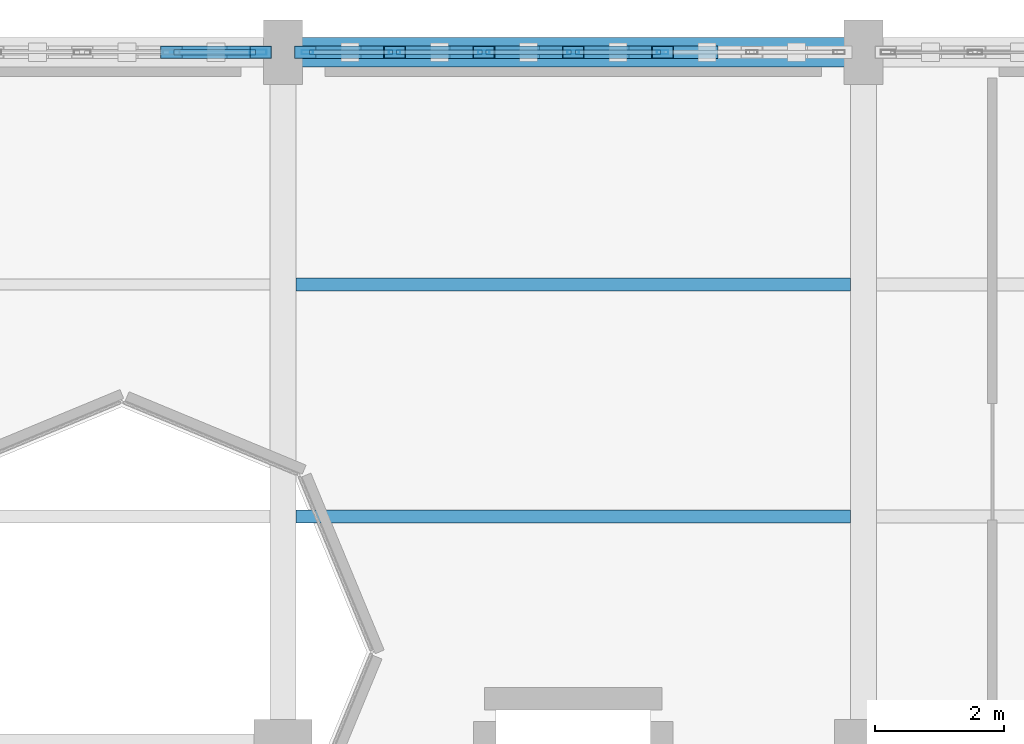
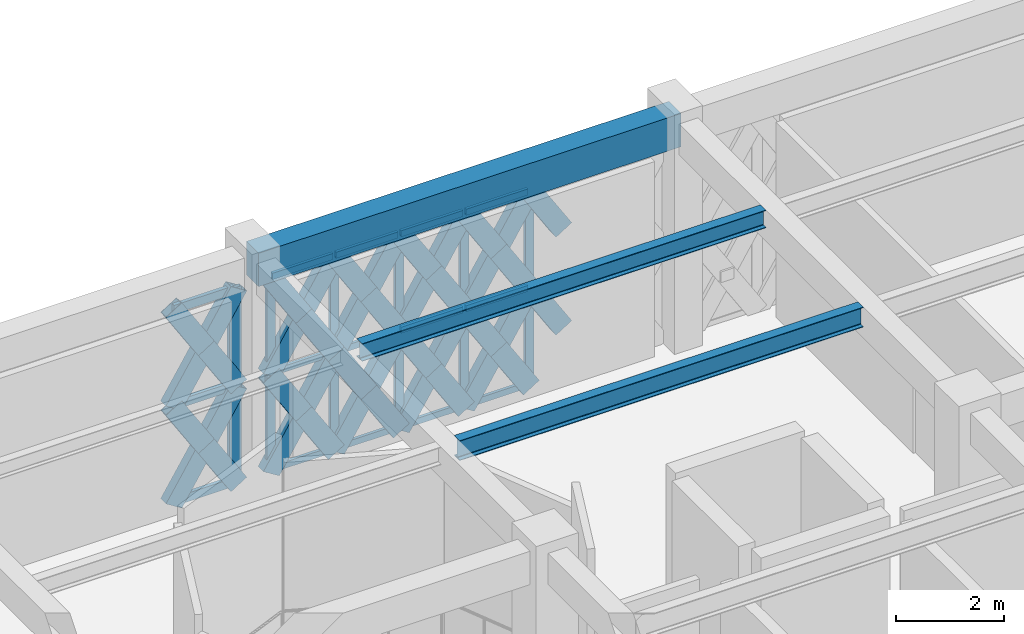
# One storey, part 87 of 155: 53 members, 3 beams, 2 elements without a shape of their own.
"""IFC4 building model written with IfcOpenShell, lengths in metres."""

from ifc_helpers import new_model, si_unit, direction, frame, origin, origin_2d, place, context, subcontext, project, spatial, rectangle, hollow_rectangle, i_section, extrude, material, material_profile, profile_set, type_object, element, aggregate, save


model = new_model("IFC4")

# Units and contexts
model_context = context("Model", 3, precision=1e-05, world=origin(), true_north=direction((0.0, 1.0)))
body_context = subcontext(model_context, "Body", "Model", "MODEL_VIEW")
ifc_project = project(units=[si_unit("LENGTHUNIT", "METRE"), si_unit("AREAUNIT", "SQUARE_METRE"), si_unit("VOLUMEUNIT", "CUBIC_METRE"), si_unit("PLANEANGLEUNIT", "RADIAN"), si_unit("MASSUNIT", "GRAM", prefix="KILO")], contexts=[model_context])

# Site, building, storey
site_placement = place(None, origin())
site = spatial("IfcSite", under=ifc_project, at=site_placement, CompositionType="ELEMENT")
building_placement = place(site_placement, origin())
building = spatial("IfcBuilding", under=site, at=building_placement, Name="Haizhuo Lancet Aquarium", CompositionType="ELEMENT")
storey_placement = place(building_placement, frame((0.0, 0.0, 10.800048828125)))
storey = spatial("IfcBuildingStorey", under=building, at=storey_placement, Name="L02", CompositionType="ELEMENT", Elevation=10.800048828125)

# Beam
ifc_material_1 = material(Name="Concrete C40/50", Category="concrete")
ifc_material_profile_1 = material_profile(ifc_material_1, rectangle(XDim=0.449951171875, YDim=0.75, at=origin_2d()), Name="RC-BM 450x750")
ifc_profile_set_1 = profile_set([ifc_material_profile_1], Name="Concrete C40/50")
beam_type_1 = type_object("IfcBeamType", Name="BM-RC-450x750", PredefinedType="BEAM", material=ifc_profile_set_1)
beam_1_placement = place(storey_placement, frame((-9.0, 55.800048828125, 4.784912109375), z_axis=(1.0, 0.0, 0.0), x_axis=(0.0, 1.0, 0.0)))
element("IfcBeam", 1, at=beam_1_placement, inside=storey, type_object=beam_type_1, Name="L02 V5 primary girder BM-L02-V5-015", PredefinedType="BEAM", context=body_context, shape_type="SweptSolid", body=[
    extrude(rectangle(XDim=0.449951171875, YDim=0.75, at=origin_2d()), origin(), (0.0, 0.0, 1.0), 9.0),
])

# Curtain wall, members
ifc_material_2 = material(Name="Aluminium 6063-T6", Category="aluminium")
curtain_wall_type = type_object("IfcCurtainWallType", Name="CWD-8310x4410", PredefinedType="NOTDEFINED", material=ifc_material_2)
curtain_wall_1_placement = place(storey_placement, origin())
curtain_wall_1 = element("IfcCurtainWall", 2, at=curtain_wall_1_placement, inside=storey, type_object=curtain_wall_type, Name="L02 curtain wall CW-V5-L02-148", PredefinedType="NOTDEFINED")
ifc_material_profile_2 = material_profile(ifc_material_2, hollow_rectangle(XDim=0.06494140625, YDim=0.179931640625, WallThickness=0.00390625, at=origin_2d()), Name="ALU-M 65x180x4")
ifc_profile_set_2 = profile_set([ifc_material_profile_2], Name="Aluminium 6063-T6")
member_type_1 = type_object("IfcMemberType", Name="CW-MUL-1", PredefinedType="MULLION", material=ifc_profile_set_2)
member_1_placement = place(storey_placement, frame((-8.6220703125, 55.800048828125, 0.0), z_axis=(0.0, 0.0, 1.0), x_axis=(0.0, 1.0, 0.0)))
member_1 = element("IfcMember", 3, at=member_1_placement, type_object=member_type_1, Name="CWD-83x44 mullion 1", PredefinedType="MULLION", context=body_context, shape_type="SweptSolid", body=[
    extrude(hollow_rectangle(XDim=0.06494140625, YDim=0.179931640625, WallThickness=0.00390625, at=origin_2d()), origin(), (0.0, 0.0, 1.0), 4.409912109375),
])
member_2_placement = place(storey_placement, frame((-7.27001953125, 55.800048828125, 0.0), z_axis=(0.0, 0.0, 1.0), x_axis=(0.0, 1.0, 0.0)))
member_2 = element("IfcMember", 4, at=member_2_placement, type_object=member_type_1, Name="CWD-83x44 mullion 2", PredefinedType="MULLION", context=body_context, shape_type="SweptSolid", body=[
    extrude(hollow_rectangle(XDim=0.06494140625, YDim=0.179931640625, WallThickness=0.00390625, at=origin_2d()), origin(), (0.0, 0.0, 1.0), 4.409912109375),
])
member_3_placement = place(storey_placement, frame((-5.885009765625, 55.800048828125, 0.0), z_axis=(0.0, 0.0, 1.0), x_axis=(0.0, 1.0, 0.0)))
member_3 = element("IfcMember", 5, at=member_3_placement, type_object=member_type_1, Name="CWD-83x44 mullion 3", PredefinedType="MULLION", context=body_context, shape_type="SweptSolid", body=[
    extrude(hollow_rectangle(XDim=0.06494140625, YDim=0.179931640625, WallThickness=0.00390625, at=origin_2d()), origin(), (0.0, 0.0, 1.0), 4.409912109375),
])
member_4_placement = place(storey_placement, frame((-4.5, 55.800048828125, 0.0), z_axis=(0.0, 0.0, 1.0), x_axis=(0.0, 1.0, 0.0)))
member_4 = element("IfcMember", 6, at=member_4_placement, type_object=member_type_1, Name="CWD-83x44 mullion 4", PredefinedType="MULLION", context=body_context, shape_type="SweptSolid", body=[
    extrude(hollow_rectangle(XDim=0.06494140625, YDim=0.179931640625, WallThickness=0.00390625, at=origin_2d()), origin(), (0.0, 0.0, 1.0), 4.409912109375),
])
member_5_placement = place(storey_placement, frame((-3.114990234375, 55.800048828125, 0.0), z_axis=(0.0, 0.0, 1.0), x_axis=(0.0, 1.0, 0.0)))
member_5 = element("IfcMember", 7, at=member_5_placement, type_object=member_type_1, Name="CWD-83x44 mullion 5", PredefinedType="MULLION", context=body_context, shape_type="SweptSolid", body=[
    extrude(hollow_rectangle(XDim=0.06494140625, YDim=0.179931640625, WallThickness=0.00390625, at=origin_2d()), origin(), (0.0, 0.0, 1.0), 4.409912109375),
])

# Curtain wall, member
curtain_wall_2_placement = place(storey_placement, origin())
curtain_wall_2 = element("IfcCurtainWall", 8, at=curtain_wall_2_placement, inside=storey, type_object=curtain_wall_type, Name="L02 curtain wall CW-V5-L02-147", PredefinedType="NOTDEFINED")
ifc_material_profile_3 = material_profile(ifc_material_2, hollow_rectangle(XDim=0.080078125, YDim=0.260009765625, WallThickness=0.0048828125, at=origin_2d()), Name="ALU-M 80x260x5")
ifc_profile_set_3 = profile_set([ifc_material_profile_3], Name="Aluminium 6063-T6")
member_type_2 = type_object("IfcMemberType", Name="CW-MUL-3", PredefinedType="MULLION", material=ifc_profile_set_3)
member_6_placement = place(storey_placement, frame((-9.385009765625, 55.800048828125, 0.0), z_axis=(0.0, 0.0, 1.0), x_axis=(0.0, 1.0, 0.0)))
member_6 = element("IfcMember", 9, at=member_6_placement, type_object=member_type_2, Name="CWD-83x44 mullion 7", PredefinedType="MULLION", context=body_context, shape_type="SweptSolid", body=[
    extrude(hollow_rectangle(XDim=0.080078125, YDim=0.260009765625, WallThickness=0.0048828125, at=origin_2d()), origin(), (0.0, 0.0, 1.0), 4.409912109375),
])

# Member
ifc_material_profile_4 = material_profile(ifc_material_2, hollow_rectangle(XDim=0.06494140625, YDim=0.139892578125, WallThickness=0.00390625, at=origin_2d()), Name="ALU-T 65x140x4")
ifc_profile_set_4 = profile_set([ifc_material_profile_4], Name="Aluminium 6063-T6")
member_type_3 = type_object("IfcMemberType", Name="CW-TRN-1", PredefinedType="NOTDEFINED", material=ifc_profile_set_4)
member_7_placement = place(storey_placement, frame((-8.590087890625, 55.800048828125, 0.032958984375), z_axis=(1.0, 0.0, 0.0), x_axis=(0.0, 1.0, 0.0)))
member_7 = element("IfcMember", 10, at=member_7_placement, type_object=member_type_3, Name="CWD-83x44 transom 1.1", ObjectType="TRANSOM", PredefinedType="USERDEFINED", context=body_context, shape_type="SweptSolid", body=[
    extrude(hollow_rectangle(XDim=0.06494140625, YDim=0.139892578125, WallThickness=0.00390625, at=origin_2d()), origin(), (0.0, 0.0, 1.0), 1.2880859375),
])

member_8_placement = place(storey_placement, frame((-8.590087890625, 55.800048828125, 2.204833984375), z_axis=(1.0, 0.0, 0.0), x_axis=(0.0, 1.0, 0.0)))
member_8 = element("IfcMember", 11, at=member_8_placement, type_object=member_type_3, Name="CWD-83x44 transom 1.2", ObjectType="TRANSOM", PredefinedType="USERDEFINED", context=body_context, shape_type="SweptSolid", body=[
    extrude(hollow_rectangle(XDim=0.06494140625, YDim=0.139892578125, WallThickness=0.00390625, at=origin_2d()), origin(), (0.0, 0.0, 1.0), 1.2880859375),
])

member_9_placement = place(storey_placement, frame((-8.590087890625, 55.800048828125, 4.3779296875), z_axis=(1.0, 0.0, 0.0), x_axis=(0.0, 1.0, 0.0)))
member_9 = element("IfcMember", 12, at=member_9_placement, type_object=member_type_3, Name="CWD-83x44 transom 1.3", ObjectType="TRANSOM", PredefinedType="USERDEFINED", context=body_context, shape_type="SweptSolid", body=[
    extrude(hollow_rectangle(XDim=0.06494140625, YDim=0.139892578125, WallThickness=0.00390625, at=origin_2d()), origin(), (0.0, 0.0, 1.0), 1.2880859375),
])

member_10_placement = place(storey_placement, frame((-7.237060546875, 55.800048828125, 0.032958984375), z_axis=(1.0, 0.0, 0.0), x_axis=(0.0, 1.0, 0.0)))
member_10 = element("IfcMember", 13, at=member_10_placement, type_object=member_type_3, Name="CWD-83x44 transom 2.1", ObjectType="TRANSOM", PredefinedType="USERDEFINED", context=body_context, shape_type="SweptSolid", body=[
    extrude(hollow_rectangle(XDim=0.06494140625, YDim=0.139892578125, WallThickness=0.00390625, at=origin_2d()), origin(), (0.0, 0.0, 1.0), 1.319091796875),
])

member_11_placement = place(storey_placement, frame((-7.237060546875, 55.800048828125, 2.204833984375), z_axis=(1.0, 0.0, 0.0), x_axis=(0.0, 1.0, 0.0)))
member_11 = element("IfcMember", 14, at=member_11_placement, type_object=member_type_3, Name="CWD-83x44 transom 2.2", ObjectType="TRANSOM", PredefinedType="USERDEFINED", context=body_context, shape_type="SweptSolid", body=[
    extrude(hollow_rectangle(XDim=0.06494140625, YDim=0.139892578125, WallThickness=0.00390625, at=origin_2d()), origin(), (0.0, 0.0, 1.0), 1.319091796875),
])

member_12_placement = place(storey_placement, frame((-7.237060546875, 55.800048828125, 4.3779296875), z_axis=(1.0, 0.0, 0.0), x_axis=(0.0, 1.0, 0.0)))
member_12 = element("IfcMember", 15, at=member_12_placement, type_object=member_type_3, Name="CWD-83x44 transom 2.3", ObjectType="TRANSOM", PredefinedType="USERDEFINED", context=body_context, shape_type="SweptSolid", body=[
    extrude(hollow_rectangle(XDim=0.06494140625, YDim=0.139892578125, WallThickness=0.00390625, at=origin_2d()), origin(), (0.0, 0.0, 1.0), 1.319091796875),
])

member_13_placement = place(storey_placement, frame((-5.85205078125, 55.800048828125, 0.032958984375), z_axis=(1.0, 0.0, 0.0), x_axis=(0.0, 1.0, 0.0)))
member_13 = element("IfcMember", 16, at=member_13_placement, type_object=member_type_3, Name="CWD-83x44 transom 3.1", ObjectType="TRANSOM", PredefinedType="USERDEFINED", context=body_context, shape_type="SweptSolid", body=[
    extrude(hollow_rectangle(XDim=0.06494140625, YDim=0.139892578125, WallThickness=0.00390625, at=origin_2d()), origin(), (0.0, 0.0, 1.0), 1.320068359375),
])

member_14_placement = place(storey_placement, frame((-5.85205078125, 55.800048828125, 2.204833984375), z_axis=(1.0, 0.0, 0.0), x_axis=(0.0, 1.0, 0.0)))
member_14 = element("IfcMember", 17, at=member_14_placement, type_object=member_type_3, Name="CWD-83x44 transom 3.2", ObjectType="TRANSOM", PredefinedType="USERDEFINED", context=body_context, shape_type="SweptSolid", body=[
    extrude(hollow_rectangle(XDim=0.06494140625, YDim=0.139892578125, WallThickness=0.00390625, at=origin_2d()), origin(), (0.0, 0.0, 1.0), 1.320068359375),
])

member_15_placement = place(storey_placement, frame((-5.85205078125, 55.800048828125, 4.3779296875), z_axis=(1.0, 0.0, 0.0), x_axis=(0.0, 1.0, 0.0)))
member_15 = element("IfcMember", 18, at=member_15_placement, type_object=member_type_3, Name="CWD-83x44 transom 3.3", ObjectType="TRANSOM", PredefinedType="USERDEFINED", context=body_context, shape_type="SweptSolid", body=[
    extrude(hollow_rectangle(XDim=0.06494140625, YDim=0.139892578125, WallThickness=0.00390625, at=origin_2d()), origin(), (0.0, 0.0, 1.0), 1.320068359375),
])

member_16_placement = place(storey_placement, frame((-4.468017578125, 55.800048828125, 0.032958984375), z_axis=(1.0, 0.0, 0.0), x_axis=(0.0, 1.0, 0.0)))
member_16 = element("IfcMember", 19, at=member_16_placement, type_object=member_type_3, Name="CWD-83x44 transom 4.1", ObjectType="TRANSOM", PredefinedType="USERDEFINED", context=body_context, shape_type="SweptSolid", body=[
    extrude(hollow_rectangle(XDim=0.06494140625, YDim=0.139892578125, WallThickness=0.00390625, at=origin_2d()), origin(), (0.0, 0.0, 1.0), 1.321044921875),
])

member_17_placement = place(storey_placement, frame((-4.468017578125, 55.800048828125, 2.204833984375), z_axis=(1.0, 0.0, 0.0), x_axis=(0.0, 1.0, 0.0)))
member_17 = element("IfcMember", 20, at=member_17_placement, type_object=member_type_3, Name="CWD-83x44 transom 4.2", ObjectType="TRANSOM", PredefinedType="USERDEFINED", context=body_context, shape_type="SweptSolid", body=[
    extrude(hollow_rectangle(XDim=0.06494140625, YDim=0.139892578125, WallThickness=0.00390625, at=origin_2d()), origin(), (0.0, 0.0, 1.0), 1.321044921875),
])

member_18_placement = place(storey_placement, frame((-4.468017578125, 55.800048828125, 4.3779296875), z_axis=(1.0, 0.0, 0.0), x_axis=(0.0, 1.0, 0.0)))
member_18 = element("IfcMember", 21, at=member_18_placement, type_object=member_type_3, Name="CWD-83x44 transom 4.3", ObjectType="TRANSOM", PredefinedType="USERDEFINED", context=body_context, shape_type="SweptSolid", body=[
    extrude(hollow_rectangle(XDim=0.06494140625, YDim=0.139892578125, WallThickness=0.00390625, at=origin_2d()), origin(), (0.0, 0.0, 1.0), 1.321044921875),
])

aggregate(curtain_wall_1, [member_1, member_2, member_3, member_4, member_5, member_7, member_8, member_9, member_10, member_11, member_12, member_13, member_14, member_15, member_16, member_17, member_18])

ifc_material_profile_5 = material_profile(ifc_material_2, hollow_rectangle(XDim=0.080078125, YDim=0.18994140625, WallThickness=0.0048828125, at=origin_2d()), Name="ALU-T 80x190x5")
ifc_profile_set_5 = profile_set([ifc_material_profile_5], Name="Aluminium 6063-T6")
member_type_4 = type_object("IfcMemberType", Name="CW-TRN-3", PredefinedType="NOTDEFINED", material=ifc_profile_set_5)
member_19_placement = place(storey_placement, frame((-10.68994140625, 55.800048828125, 0.0400390625), z_axis=(1.0, 0.0, 0.0), x_axis=(0.0, 1.0, 0.0)))
member_19 = element("IfcMember", 22, at=member_19_placement, type_object=member_type_4, Name="CWD-83x44 transom 6.1", ObjectType="TRANSOM", PredefinedType="USERDEFINED", context=body_context, shape_type="SweptSolid", body=[
    extrude(hollow_rectangle(XDim=0.080078125, YDim=0.18994140625, WallThickness=0.0048828125, at=origin_2d()), origin(), (0.0, 0.0, 1.0), 1.264892578125),
])

member_20_placement = place(storey_placement, frame((-10.68994140625, 55.800048828125, 2.204833984375), z_axis=(1.0, 0.0, 0.0), x_axis=(0.0, 1.0, 0.0)))
member_20 = element("IfcMember", 23, at=member_20_placement, type_object=member_type_4, Name="CWD-83x44 transom 6.2", ObjectType="TRANSOM", PredefinedType="USERDEFINED", context=body_context, shape_type="SweptSolid", body=[
    extrude(hollow_rectangle(XDim=0.080078125, YDim=0.18994140625, WallThickness=0.0048828125, at=origin_2d()), origin(), (0.0, 0.0, 1.0), 1.264892578125),
])

member_21_placement = place(storey_placement, frame((-10.68994140625, 55.800048828125, 4.369873046875), z_axis=(1.0, 0.0, 0.0), x_axis=(0.0, 1.0, 0.0)))
member_21 = element("IfcMember", 24, at=member_21_placement, type_object=member_type_4, Name="CWD-83x44 transom 6.3", ObjectType="TRANSOM", PredefinedType="USERDEFINED", context=body_context, shape_type="SweptSolid", body=[
    extrude(hollow_rectangle(XDim=0.080078125, YDim=0.18994140625, WallThickness=0.0048828125, at=origin_2d()), origin(), (0.0, 0.0, 1.0), 1.264892578125),
])

aggregate(curtain_wall_2, [member_6, member_19, member_20, member_21])

# Beams
ifc_material_3 = material(Name="Steel S355", Category="steel")
ifc_material_profile_6 = material_profile(ifc_material_3, i_section(OverallWidth=0.199951171875, OverallDepth=0.39990234375, WebThickness=0.008056640625, FlangeThickness=0.012939453125, FilletRadius=0.01611328125, at=origin_2d()), Name="HN 400x200x8x13")
ifc_profile_set_6 = profile_set([ifc_material_profile_6], Name="Steel S355")
beam_type_2 = type_object("IfcBeamType", Name="JST-ST-HN400", PredefinedType="JOIST", material=ifc_profile_set_6)
beam_2_placement = place(storey_placement, frame((-8.800048828125, 52.199951171875, 4.9599609375), z_axis=(1.0, 0.0, 0.0), x_axis=(0.0, 1.0, 0.0)))
element("IfcBeam", 25, at=beam_2_placement, inside=storey, type_object=beam_type_2, Name="L02 V5 secondary floor joist 9", PredefinedType="JOIST", context=body_context, shape_type="SweptSolid", body=[
    extrude(i_section(OverallWidth=0.199951171875, OverallDepth=0.39990234375, WebThickness=0.008056640625, FlangeThickness=0.012939453125, FilletRadius=0.01611328125, at=origin_2d()), origin(), (0.0, 0.0, 1.0), 8.60009765625),
])
ifc_material_profile_7 = material_profile(ifc_material_3, i_section(OverallWidth=0.199951171875, OverallDepth=0.449951171875, WebThickness=0.009033203125, FlangeThickness=0.013916015625, FilletRadius=0.01806640625, at=origin_2d()), Name="HN 450x200x9x14")
ifc_profile_set_7 = profile_set([ifc_material_profile_7], Name="Steel S355")
beam_type_3 = type_object("IfcBeamType", Name="JST-ST-HN450", PredefinedType="JOIST", material=ifc_profile_set_7)
beam_3_placement = place(storey_placement, frame((-8.800048828125, 48.60009765625, 4.93505859375), z_axis=(1.0, 0.0, 0.0), x_axis=(0.0, 1.0, 0.0)))
element("IfcBeam", 26, at=beam_3_placement, inside=storey, type_object=beam_type_3, Name="L02 V5 secondary floor joist 8", PredefinedType="JOIST", context=body_context, shape_type="SweptSolid", body=[
    extrude(i_section(OverallWidth=0.199951171875, OverallDepth=0.449951171875, WebThickness=0.009033203125, FlangeThickness=0.013916015625, FilletRadius=0.01806640625, at=origin_2d()), origin(), (0.0, 0.0, 1.0), 8.60009765625),
])

# Members
ifc_material_profile_8 = material_profile(ifc_material_3, hollow_rectangle(XDim=0.199951171875, YDim=0.39990234375, WallThickness=0.011962890625, at=origin_2d()), Name="RHS 200x400x12")
ifc_profile_set_8 = profile_set([ifc_material_profile_8], Name="Steel S355")
member_type_5 = type_object("IfcMemberType", Name="MEM-LB-RHS200x400", PredefinedType="BRACE", material=ifc_profile_set_8)
member_22_placement = place(storey_placement, frame((-10.72998046875, 55.800048828125, 0.0), z_axis=(0.531927646905, 0.0, 0.84678980772), x_axis=(0.0, 1.0, 0.0)))
element("IfcMember", 27, at=member_22_placement, inside=storey, type_object=member_type_5, Name="Gothic lancet continuous diagonal brace CW-V5-L02-147 11A", PredefinedType="BRACE", context=body_context, shape_type="SweptSolid", body=[
    extrude(hollow_rectangle(XDim=0.199951171875, YDim=0.39990234375, WallThickness=0.011962890625, at=origin_2d()), origin(), (0.0, 0.0, 1.0), 2.603759765625),
])
member_23_placement = place(storey_placement, frame((-9.344970703125, 55.800048828125, 0.0), z_axis=(-0.532390437474, 0.0, 0.84649892031), x_axis=(0.0, -1.0, 0.0)))
element("IfcMember", 28, at=member_23_placement, inside=storey, type_object=member_type_5, Name="Gothic lancet split diagonal brace CW-V5-L02-147 11B1", PredefinedType="BRACE", context=body_context, shape_type="SweptSolid", body=[
    extrude(hollow_rectangle(XDim=0.199951171875, YDim=0.39990234375, WallThickness=0.011962890625, at=origin_2d()), origin(), (0.0, 0.0, 1.0), 1.302001953125),
])
member_24_placement = place(storey_placement, frame((-10.0380859375, 55.800048828125, 1.10205078125), z_axis=(-0.531464687043, 0.0, 0.847080448615), x_axis=(0.0, -1.0, 0.0)))
element("IfcMember", 29, at=member_24_placement, inside=storey, type_object=member_type_5, Name="Gothic lancet split diagonal brace CW-V5-L02-147 11B2", PredefinedType="BRACE", context=body_context, shape_type="SweptSolid", body=[
    extrude(hollow_rectangle(XDim=0.199951171875, YDim=0.39990234375, WallThickness=0.011962890625, at=origin_2d()), origin(), (0.0, 0.0, 1.0), 1.3017578125),
])
member_25_placement = place(storey_placement, frame((-10.72998046875, 55.800048828125, 2.204833984375), z_axis=(0.531885415037, 0.0, 0.846816335028), x_axis=(0.0, 1.0, 0.0)))
element("IfcMember", 30, at=member_25_placement, inside=storey, type_object=member_type_5, Name="Gothic lancet continuous diagonal brace CW-V5-L02-147 12A", PredefinedType="BRACE", context=body_context, shape_type="SweptSolid", body=[
    extrude(hollow_rectangle(XDim=0.199951171875, YDim=0.39990234375, WallThickness=0.011962890625, at=origin_2d()), origin(), (0.0, 0.0, 1.0), 2.60400390625),
])
member_26_placement = place(storey_placement, frame((-9.344970703125, 55.800048828125, 2.204833984375), z_axis=(-0.532052559181, 0.0, 0.846711328771), x_axis=(0.0, -1.0, 0.0)))
element("IfcMember", 31, at=member_26_placement, inside=storey, type_object=member_type_5, Name="Gothic lancet split diagonal brace CW-V5-L02-147 12B1", PredefinedType="BRACE", context=body_context, shape_type="SweptSolid", body=[
    extrude(hollow_rectangle(XDim=0.199951171875, YDim=0.39990234375, WallThickness=0.011962890625, at=origin_2d()), origin(), (0.0, 0.0, 1.0), 1.302734375),
])
member_27_placement = place(storey_placement, frame((-10.0380859375, 55.800048828125, 3.307861328125), z_axis=(-0.531718060511, 0.0, 0.846921427363), x_axis=(0.0, -1.0, 0.0)))
element("IfcMember", 32, at=member_27_placement, inside=storey, type_object=member_type_5, Name="Gothic lancet split diagonal brace CW-V5-L02-147 12B2", PredefinedType="BRACE", context=body_context, shape_type="SweptSolid", body=[
    extrude(hollow_rectangle(XDim=0.199951171875, YDim=0.39990234375, WallThickness=0.011962890625, at=origin_2d()), origin(), (0.0, 0.0, 1.0), 1.30126953125),
])
member_28_placement = place(storey_placement, frame((-8.655029296875, 55.800048828125, 0.0), z_axis=(0.531927646905, 0.0, 0.84678980772), x_axis=(0.0, 1.0, 0.0)))
element("IfcMember", 33, at=member_28_placement, inside=storey, type_object=member_type_5, Name="Gothic lancet continuous diagonal brace CW-V5-L02-148 1A", PredefinedType="BRACE", context=body_context, shape_type="SweptSolid", body=[
    extrude(hollow_rectangle(XDim=0.199951171875, YDim=0.39990234375, WallThickness=0.011962890625, at=origin_2d()), origin(), (0.0, 0.0, 1.0), 2.603759765625),
])
member_29_placement = place(storey_placement, frame((-7.27001953125, 55.800048828125, 0.0), z_axis=(-0.531718060511, 0.0, 0.846921427363), x_axis=(0.0, -1.0, 0.0)))
element("IfcMember", 34, at=member_29_placement, inside=storey, type_object=member_type_5, Name="Gothic lancet split diagonal brace CW-V5-L02-148 1B1", PredefinedType="BRACE", context=body_context, shape_type="SweptSolid", body=[
    extrude(hollow_rectangle(XDim=0.199951171875, YDim=0.39990234375, WallThickness=0.011962890625, at=origin_2d()), origin(), (0.0, 0.0, 1.0), 1.30126953125),
])
member_30_placement = place(storey_placement, frame((-7.9619140625, 55.800048828125, 1.10205078125), z_axis=(-0.532136996486, 0.0, 0.846658264574), x_axis=(0.0, -1.0, 0.0)))
element("IfcMember", 35, at=member_30_placement, inside=storey, type_object=member_type_5, Name="Gothic lancet split diagonal brace CW-V5-L02-148 1B2", PredefinedType="BRACE", context=body_context, shape_type="SweptSolid", body=[
    extrude(hollow_rectangle(XDim=0.199951171875, YDim=0.39990234375, WallThickness=0.011962890625, at=origin_2d()), origin(), (0.0, 0.0, 1.0), 1.302490234375),
])
member_31_placement = place(storey_placement, frame((-8.655029296875, 55.800048828125, 2.204833984375), z_axis=(0.531885415037, 0.0, 0.846816335028), x_axis=(0.0, 1.0, 0.0)))
element("IfcMember", 36, at=member_31_placement, inside=storey, type_object=member_type_5, Name="Gothic lancet continuous diagonal brace CW-V5-L02-148 2A", PredefinedType="BRACE", context=body_context, shape_type="SweptSolid", body=[
    extrude(hollow_rectangle(XDim=0.199951171875, YDim=0.39990234375, WallThickness=0.011962890625, at=origin_2d()), origin(), (0.0, 0.0, 1.0), 2.60400390625),
])
for number, where, z_axis, x_axis, name in (
    (37, (-7.27001953125, 55.800048828125, 2.204833984375), (-0.531380272315, 0.0, 0.847133405193), (0.0, -1.0, 0.0), "Gothic lancet split diagonal brace CW-V5-L02-148 2B1"),
    (38, (-7.9619140625, 55.800048828125, 3.307861328125), (-0.532390437474, 0.0, 0.84649892031), (0.0, -1.0, 0.0), "Gothic lancet split diagonal brace CW-V5-L02-148 2B2"),
):
    element("IfcMember", number, at=place(storey_placement, frame(where, z_axis=z_axis, x_axis=x_axis)), inside=storey, type_object=member_type_5, Name=name, PredefinedType="BRACE", context=body_context, shape_type="SweptSolid", body=[
        extrude(hollow_rectangle(XDim=0.199951171875, YDim=0.39990234375, WallThickness=0.011962890625, at=origin_2d()), origin(), (0.0, 0.0, 1.0), 1.302001953125),
    ])
member_32_placement = place(storey_placement, frame((-7.27001953125, 55.800048828125, 0.0), z_axis=(0.531927646905, 0.0, 0.84678980772), x_axis=(0.0, 1.0, 0.0)))
element("IfcMember", 39, at=member_32_placement, inside=storey, type_object=member_type_5, Name="Gothic lancet continuous diagonal brace CW-V5-L02-148 3A", PredefinedType="BRACE", context=body_context, shape_type="SweptSolid", body=[
    extrude(hollow_rectangle(XDim=0.199951171875, YDim=0.39990234375, WallThickness=0.011962890625, at=origin_2d()), origin(), (0.0, 0.0, 1.0), 2.603759765625),
])
member_33_placement = place(storey_placement, frame((-5.885009765625, 55.800048828125, 0.0), z_axis=(-0.531718060511, 0.0, 0.846921427363), x_axis=(0.0, -1.0, 0.0)))
element("IfcMember", 40, at=member_33_placement, inside=storey, type_object=member_type_5, Name="Gothic lancet split diagonal brace CW-V5-L02-148 3B1", PredefinedType="BRACE", context=body_context, shape_type="SweptSolid", body=[
    extrude(hollow_rectangle(XDim=0.199951171875, YDim=0.39990234375, WallThickness=0.011962890625, at=origin_2d()), origin(), (0.0, 0.0, 1.0), 1.30126953125),
])
member_34_placement = place(storey_placement, frame((-6.576904296875, 55.800048828125, 1.10205078125), z_axis=(-0.532136996486, 0.0, 0.846658264574), x_axis=(0.0, -1.0, 0.0)))
element("IfcMember", 41, at=member_34_placement, inside=storey, type_object=member_type_5, Name="Gothic lancet split diagonal brace CW-V5-L02-148 3B2", PredefinedType="BRACE", context=body_context, shape_type="SweptSolid", body=[
    extrude(hollow_rectangle(XDim=0.199951171875, YDim=0.39990234375, WallThickness=0.011962890625, at=origin_2d()), origin(), (0.0, 0.0, 1.0), 1.302490234375),
])
member_35_placement = place(storey_placement, frame((-7.27001953125, 55.800048828125, 2.204833984375), z_axis=(0.531885415037, 0.0, 0.846816335028), x_axis=(0.0, 1.0, 0.0)))
element("IfcMember", 42, at=member_35_placement, inside=storey, type_object=member_type_5, Name="Gothic lancet continuous diagonal brace CW-V5-L02-148 4A", PredefinedType="BRACE", context=body_context, shape_type="SweptSolid", body=[
    extrude(hollow_rectangle(XDim=0.199951171875, YDim=0.39990234375, WallThickness=0.011962890625, at=origin_2d()), origin(), (0.0, 0.0, 1.0), 2.60400390625),
])
for number, where, z_axis, x_axis, name in (
    (43, (-5.885009765625, 55.800048828125, 2.204833984375), (-0.531380272315, 0.0, 0.847133405193), (0.0, -1.0, 0.0), "Gothic lancet split diagonal brace CW-V5-L02-148 4B1"),
    (44, (-6.576904296875, 55.800048828125, 3.307861328125), (-0.532390437474, 0.0, 0.84649892031), (0.0, -1.0, 0.0), "Gothic lancet split diagonal brace CW-V5-L02-148 4B2"),
):
    element("IfcMember", number, at=place(storey_placement, frame(where, z_axis=z_axis, x_axis=x_axis)), inside=storey, type_object=member_type_5, Name=name, PredefinedType="BRACE", context=body_context, shape_type="SweptSolid", body=[
        extrude(hollow_rectangle(XDim=0.199951171875, YDim=0.39990234375, WallThickness=0.011962890625, at=origin_2d()), origin(), (0.0, 0.0, 1.0), 1.302001953125),
    ])
member_36_placement = place(storey_placement, frame((-5.885009765625, 55.800048828125, 0.0), z_axis=(0.531927646905, 0.0, 0.84678980772), x_axis=(0.0, 1.0, 0.0)))
element("IfcMember", 45, at=member_36_placement, inside=storey, type_object=member_type_5, Name="Gothic lancet continuous diagonal brace CW-V5-L02-148 5A", PredefinedType="BRACE", context=body_context, shape_type="SweptSolid", body=[
    extrude(hollow_rectangle(XDim=0.199951171875, YDim=0.39990234375, WallThickness=0.011962890625, at=origin_2d()), origin(), (0.0, 0.0, 1.0), 2.603759765625),
])
member_37_placement = place(storey_placement, frame((-4.5, 55.800048828125, 0.0), z_axis=(-0.531718060511, 0.0, 0.846921427363), x_axis=(0.0, -1.0, 0.0)))
element("IfcMember", 46, at=member_37_placement, inside=storey, type_object=member_type_5, Name="Gothic lancet split diagonal brace CW-V5-L02-148 5B1", PredefinedType="BRACE", context=body_context, shape_type="SweptSolid", body=[
    extrude(hollow_rectangle(XDim=0.199951171875, YDim=0.39990234375, WallThickness=0.011962890625, at=origin_2d()), origin(), (0.0, 0.0, 1.0), 1.30126953125),
])
member_38_placement = place(storey_placement, frame((-5.19189453125, 55.800048828125, 1.10205078125), z_axis=(-0.532136996486, 0.0, 0.846658264574), x_axis=(0.0, -1.0, 0.0)))
element("IfcMember", 47, at=member_38_placement, inside=storey, type_object=member_type_5, Name="Gothic lancet split diagonal brace CW-V5-L02-148 5B2", PredefinedType="BRACE", context=body_context, shape_type="SweptSolid", body=[
    extrude(hollow_rectangle(XDim=0.199951171875, YDim=0.39990234375, WallThickness=0.011962890625, at=origin_2d()), origin(), (0.0, 0.0, 1.0), 1.302490234375),
])
member_39_placement = place(storey_placement, frame((-5.885009765625, 55.800048828125, 2.204833984375), z_axis=(0.531885415037, 0.0, 0.846816335028), x_axis=(0.0, 1.0, 0.0)))
element("IfcMember", 48, at=member_39_placement, inside=storey, type_object=member_type_5, Name="Gothic lancet continuous diagonal brace CW-V5-L02-148 6A", PredefinedType="BRACE", context=body_context, shape_type="SweptSolid", body=[
    extrude(hollow_rectangle(XDim=0.199951171875, YDim=0.39990234375, WallThickness=0.011962890625, at=origin_2d()), origin(), (0.0, 0.0, 1.0), 2.60400390625),
])
for number, where, z_axis, x_axis, name in (
    (49, (-4.5, 55.800048828125, 2.204833984375), (-0.531380272315, 0.0, 0.847133405193), (0.0, -1.0, 0.0), "Gothic lancet split diagonal brace CW-V5-L02-148 6B1"),
    (50, (-5.19189453125, 55.800048828125, 3.307861328125), (-0.532390437474, 0.0, 0.84649892031), (0.0, -1.0, 0.0), "Gothic lancet split diagonal brace CW-V5-L02-148 6B2"),
):
    element("IfcMember", number, at=place(storey_placement, frame(where, z_axis=z_axis, x_axis=x_axis)), inside=storey, type_object=member_type_5, Name=name, PredefinedType="BRACE", context=body_context, shape_type="SweptSolid", body=[
        extrude(hollow_rectangle(XDim=0.199951171875, YDim=0.39990234375, WallThickness=0.011962890625, at=origin_2d()), origin(), (0.0, 0.0, 1.0), 1.302001953125),
    ])
member_40_placement = place(storey_placement, frame((-4.5, 55.800048828125, 0.0), z_axis=(0.531927646905, 0.0, 0.84678980772), x_axis=(0.0, 1.0, 0.0)))
element("IfcMember", 51, at=member_40_placement, inside=storey, type_object=member_type_5, Name="Gothic lancet continuous diagonal brace CW-V5-L02-148 7A", PredefinedType="BRACE", context=body_context, shape_type="SweptSolid", body=[
    extrude(hollow_rectangle(XDim=0.199951171875, YDim=0.39990234375, WallThickness=0.011962890625, at=origin_2d()), origin(), (0.0, 0.0, 1.0), 2.603759765625),
])
member_41_placement = place(storey_placement, frame((-3.114990234375, 55.800048828125, 0.0), z_axis=(-0.532390437474, 0.0, 0.84649892031), x_axis=(0.0, -1.0, 0.0)))
element("IfcMember", 52, at=member_41_placement, inside=storey, type_object=member_type_5, Name="Gothic lancet split diagonal brace CW-V5-L02-148 7B1", PredefinedType="BRACE", context=body_context, shape_type="SweptSolid", body=[
    extrude(hollow_rectangle(XDim=0.199951171875, YDim=0.39990234375, WallThickness=0.011962890625, at=origin_2d()), origin(), (0.0, 0.0, 1.0), 1.302001953125),
])
member_42_placement = place(storey_placement, frame((-3.80810546875, 55.800048828125, 1.10205078125), z_axis=(-0.531464687043, 0.0, 0.847080448615), x_axis=(0.0, -1.0, 0.0)))
element("IfcMember", 53, at=member_42_placement, inside=storey, type_object=member_type_5, Name="Gothic lancet split diagonal brace CW-V5-L02-148 7B2", PredefinedType="BRACE", context=body_context, shape_type="SweptSolid", body=[
    extrude(hollow_rectangle(XDim=0.199951171875, YDim=0.39990234375, WallThickness=0.011962890625, at=origin_2d()), origin(), (0.0, 0.0, 1.0), 1.3017578125),
])
member_43_placement = place(storey_placement, frame((-4.5, 55.800048828125, 2.204833984375), z_axis=(0.531885415037, 0.0, 0.846816335028), x_axis=(0.0, 1.0, 0.0)))
element("IfcMember", 54, at=member_43_placement, inside=storey, type_object=member_type_5, Name="Gothic lancet continuous diagonal brace CW-V5-L02-148 8A", PredefinedType="BRACE", context=body_context, shape_type="SweptSolid", body=[
    extrude(hollow_rectangle(XDim=0.199951171875, YDim=0.39990234375, WallThickness=0.011962890625, at=origin_2d()), origin(), (0.0, 0.0, 1.0), 2.60400390625),
])
member_44_placement = place(storey_placement, frame((-3.114990234375, 55.800048828125, 2.204833984375), z_axis=(-0.532052559181, 0.0, 0.846711328771), x_axis=(0.0, -1.0, 0.0)))
element("IfcMember", 55, at=member_44_placement, inside=storey, type_object=member_type_5, Name="Gothic lancet split diagonal brace CW-V5-L02-148 8B1", PredefinedType="BRACE", context=body_context, shape_type="SweptSolid", body=[
    extrude(hollow_rectangle(XDim=0.199951171875, YDim=0.39990234375, WallThickness=0.011962890625, at=origin_2d()), origin(), (0.0, 0.0, 1.0), 1.302734375),
])
member_45_placement = place(storey_placement, frame((-3.80810546875, 55.800048828125, 3.307861328125), z_axis=(-0.531718060511, 0.0, 0.846921427363), x_axis=(0.0, -1.0, 0.0)))
element("IfcMember", 56, at=member_45_placement, inside=storey, type_object=member_type_5, Name="Gothic lancet split diagonal brace CW-V5-L02-148 8B2", PredefinedType="BRACE", context=body_context, shape_type="SweptSolid", body=[
    extrude(hollow_rectangle(XDim=0.199951171875, YDim=0.39990234375, WallThickness=0.011962890625, at=origin_2d()), origin(), (0.0, 0.0, 1.0), 1.30126953125),
])
member_46_placement = place(storey_placement, frame((-2.423095703125, 55.800048828125, 1.10205078125), z_axis=(-0.531464687043, 0.0, 0.847080448615), x_axis=(0.0, -1.0, 0.0)))
element("IfcMember", 57, at=member_46_placement, inside=storey, type_object=member_type_5, Name="Gothic lancet split diagonal brace CW-V5-L02-148 9B2", PredefinedType="BRACE", context=body_context, shape_type="SweptSolid", body=[
    extrude(hollow_rectangle(XDim=0.199951171875, YDim=0.39990234375, WallThickness=0.011962890625, at=origin_2d()), origin(), (0.0, 0.0, 1.0), 1.3017578125),
])
member_47_placement = place(storey_placement, frame((-2.423095703125, 55.800048828125, 3.307861328125), z_axis=(-0.531718060511, 0.0, 0.846921427363), x_axis=(0.0, -1.0, 0.0)))
element("IfcMember", 58, at=member_47_placement, inside=storey, type_object=member_type_5, Name="Gothic lancet split diagonal brace CW-V5-L02-148 10B2", PredefinedType="BRACE", context=body_context, shape_type="SweptSolid", body=[
    extrude(hollow_rectangle(XDim=0.199951171875, YDim=0.39990234375, WallThickness=0.011962890625, at=origin_2d()), origin(), (0.0, 0.0, 1.0), 1.30126953125),
])

save(model, "model.ifc")
